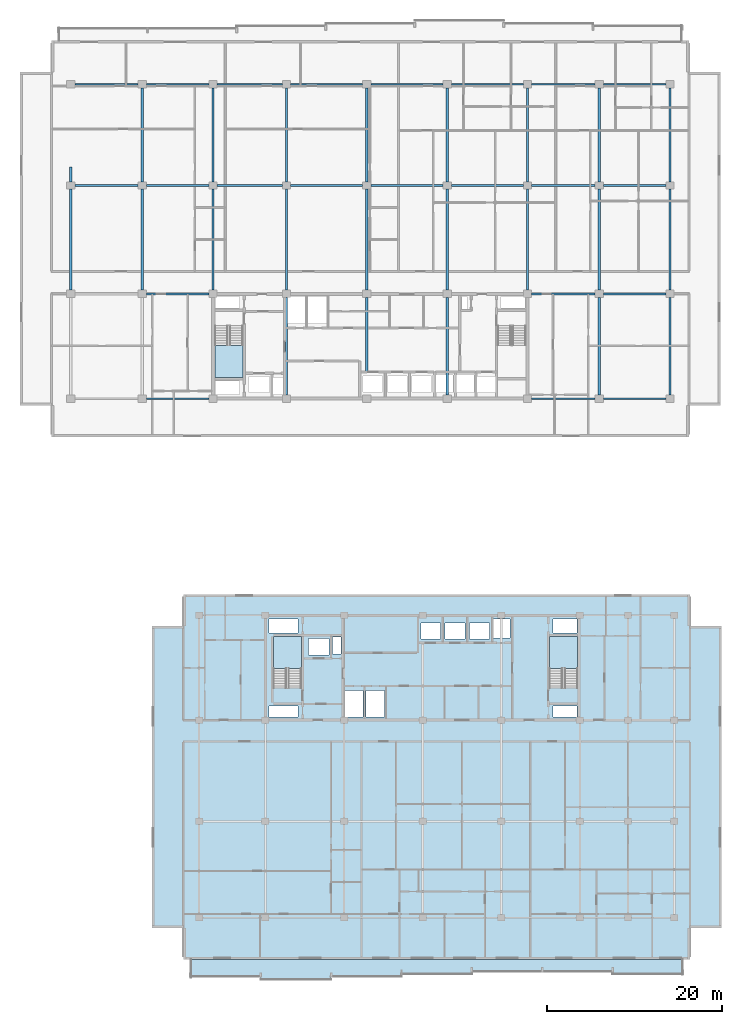
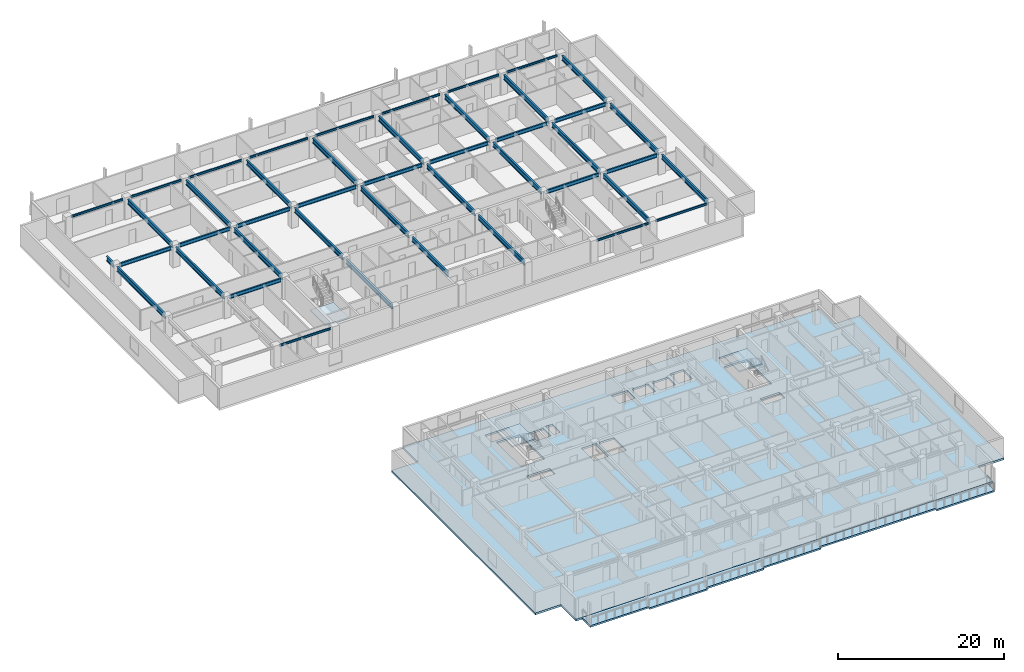
# One storey, part 2 of 21: 45 beams, 5 slabs, 3 elements without a shape of their own.
"""IFC4 building model written with IfcOpenShell, lengths in metres."""

from ifc_helpers import new_model, si_unit, direction, frame, origin, origin_2d, place, context, subcontext, project, spatial, polyline, i_section, outline, extrude, material, layer, layer_set, material_profile, profile_set, type_object, element, aggregate, save


model = new_model("IFC4")

# Units and contexts
model_context = context("Model", 3, precision=1e-05, world=origin(), true_north=direction((0.0, 1.0)))
body_context = subcontext(model_context, "Body", "Model", "MODEL_VIEW")
ifc_project = project(units=[si_unit("LENGTHUNIT", "METRE"), si_unit("AREAUNIT", "SQUARE_METRE"), si_unit("VOLUMEUNIT", "CUBIC_METRE"), si_unit("PLANEANGLEUNIT", "RADIAN"), si_unit("MASSUNIT", "GRAM", prefix="KILO")], contexts=[model_context])

# Site, building, storey
site_placement = place(None, origin())
site = spatial("IfcSite", under=ifc_project, at=site_placement, CompositionType="ELEMENT")
building_placement = place(site_placement, origin())
building = spatial("IfcBuilding", under=site, at=building_placement, Name="Korimba Cascade Residences", CompositionType="ELEMENT")
storey_placement = place(building_placement, frame((0.0, 0.0, 123.050048828125)))
storey = spatial("IfcBuildingStorey", under=building, at=storey_placement, Name="L35", CompositionType="ELEMENT", Elevation=123.050048828125)

# Beams
ifc_material_1 = material(Name="Steel S355", Category="steel")
ifc_material_profile_1 = material_profile(ifc_material_1, i_section(OverallWidth=0.165771484375, OverallDepth=0.306640625, WebThickness=0.006591796875, FlangeThickness=0.01171875, FilletRadius=0.0087890625, at=origin_2d()), Name="Steel S355")
ifc_profile_set_1 = profile_set([ifc_material_profile_1], Name="Steel S355")
beam_type_1 = type_object("IfcBeamType", Name="BM-STL-UB305", PredefinedType="SPANDREL", material=ifc_profile_set_1)
beam_1_placement = place(storey_placement, frame((68.47509765625, 55.199951171875, 2.816650390625), z_axis=(1.0, 0.0, 0.0), x_axis=(0.0, 1.0, 0.0)))
element("IfcBeam", 1, at=beam_1_placement, inside=storey, type_object=beam_type_1, Name="L35 T1 E-W Girder Y1 Bay 2", PredefinedType="SPANDREL", context=body_context, shape_type="SweptSolid", body=[
    extrude(i_section(OverallWidth=0.165771484375, OverallDepth=0.306640625, WebThickness=0.006591796875, FlangeThickness=0.01171875, FilletRadius=0.0087890625, at=origin_2d()), origin(), (0.0, 0.0, 1.0), 7.14990234375),
])
beam_2_placement = place(storey_placement, frame((112.574951171875, 55.199951171875, 2.816650390625), z_axis=(1.0, 0.0, 0.0), x_axis=(0.0, 1.0, 0.0)))
element("IfcBeam", 2, at=beam_2_placement, inside=storey, type_object=beam_type_1, Name="L35 T1 E-W Girder Y1 Bay 7", PredefinedType="SPANDREL", context=body_context, shape_type="SweptSolid", body=[
    extrude(i_section(OverallWidth=0.165771484375, OverallDepth=0.306640625, WebThickness=0.006591796875, FlangeThickness=0.01171875, FilletRadius=0.0087890625, at=origin_2d()), origin(), (0.0, 0.0, 1.0), 7.25),
])
beam_3_placement = place(storey_placement, frame((120.77490234375, 55.199951171875, 2.816650390625), z_axis=(1.0, 0.0, 0.0), x_axis=(0.0, 1.0, 0.0)))
element("IfcBeam", 3, at=beam_3_placement, inside=storey, type_object=beam_type_1, Name="L35 T1 E-W Girder Y1 Bay 8", PredefinedType="SPANDREL", context=body_context, shape_type="SweptSolid", body=[
    extrude(i_section(OverallWidth=0.165771484375, OverallDepth=0.306640625, WebThickness=0.006591796875, FlangeThickness=0.01171875, FilletRadius=0.0087890625, at=origin_2d()), origin(), (0.0, 0.0, 1.0), 7.150146484375),
])
beam_4_placement = place(storey_placement, frame((60.27490234375, 91.199951171875, 2.816650390625), z_axis=(1.0, 0.0, 0.0), x_axis=(0.0, 1.0, 0.0)))
element("IfcBeam", 4, at=beam_4_placement, inside=storey, type_object=beam_type_1, Name="L35 T1 E-W Girder Y4 Bay 1", PredefinedType="SPANDREL", context=body_context, shape_type="SweptSolid", body=[
    extrude(i_section(OverallWidth=0.165771484375, OverallDepth=0.306640625, WebThickness=0.006591796875, FlangeThickness=0.01171875, FilletRadius=0.0087890625, at=origin_2d()), origin(), (0.0, 0.0, 1.0), 7.25),
])
beam_5_placement = place(storey_placement, frame((68.47509765625, 91.199951171875, 2.816650390625), z_axis=(1.0, 0.0, 0.0), x_axis=(0.0, 1.0, 0.0)))
element("IfcBeam", 5, at=beam_5_placement, inside=storey, type_object=beam_type_1, Name="L35 T1 E-W Girder Y4 Bay 2", PredefinedType="SPANDREL", context=body_context, shape_type="SweptSolid", body=[
    extrude(i_section(OverallWidth=0.165771484375, OverallDepth=0.306640625, WebThickness=0.006591796875, FlangeThickness=0.01171875, FilletRadius=0.0087890625, at=origin_2d()), origin(), (0.0, 0.0, 1.0), 7.14990234375),
])
beam_6_placement = place(storey_placement, frame((76.574951171875, 91.199951171875, 2.816650390625), z_axis=(1.0, 0.0, 0.0), x_axis=(0.0, 1.0, 0.0)))
element("IfcBeam", 6, at=beam_6_placement, inside=storey, type_object=beam_type_1, Name="L35 T1 E-W Girder Y4 Bay 3", PredefinedType="SPANDREL", context=body_context, shape_type="SweptSolid", body=[
    extrude(i_section(OverallWidth=0.165771484375, OverallDepth=0.306640625, WebThickness=0.006591796875, FlangeThickness=0.01171875, FilletRadius=0.0087890625, at=origin_2d()), origin(), (0.0, 0.0, 1.0), 7.449951171875),
])
for number, where, z_axis, x_axis, name in (
    (7, (84.97509765625, 91.199951171875, 2.816650390625), (1.0, 0.0, 0.0), (0.0, 1.0, 0.0), "L35 T1 E-W Girder Y4 Bay 4"),
    (8, (94.175048828125, 91.199951171875, 2.816650390625), (1.0, 0.0, 0.0), (0.0, 1.0, 0.0), "L35 T1 E-W Girder Y4 Bay 5"),
    (9, (103.375, 91.199951171875, 2.816650390625), (1.0, 0.0, 0.0), (0.0, 1.0, 0.0), "L35 T1 E-W Girder Y4 Bay 6"),
):
    element("IfcBeam", number, at=place(storey_placement, frame(where, z_axis=z_axis, x_axis=x_axis)), inside=storey, type_object=beam_type_1, Name=name, PredefinedType="SPANDREL", context=body_context, shape_type="SweptSolid", body=[
        extrude(i_section(OverallWidth=0.165771484375, OverallDepth=0.306640625, WebThickness=0.006591796875, FlangeThickness=0.01171875, FilletRadius=0.0087890625, at=origin_2d()), origin(), (0.0, 0.0, 1.0), 8.25),
    ])
beam_7_placement = place(storey_placement, frame((112.574951171875, 91.199951171875, 2.816650390625), z_axis=(1.0, 0.0, 0.0), x_axis=(0.0, 1.0, 0.0)))
element("IfcBeam", 10, at=beam_7_placement, inside=storey, type_object=beam_type_1, Name="L35 T1 E-W Girder Y4 Bay 7", PredefinedType="SPANDREL", context=body_context, shape_type="SweptSolid", body=[
    extrude(i_section(OverallWidth=0.165771484375, OverallDepth=0.306640625, WebThickness=0.006591796875, FlangeThickness=0.01171875, FilletRadius=0.0087890625, at=origin_2d()), origin(), (0.0, 0.0, 1.0), 7.25),
])
beam_8_placement = place(storey_placement, frame((120.77490234375, 91.199951171875, 2.816650390625), z_axis=(1.0, 0.0, 0.0), x_axis=(0.0, 1.0, 0.0)))
element("IfcBeam", 11, at=beam_8_placement, inside=storey, type_object=beam_type_1, Name="L35 T1 E-W Girder Y4 Bay 8", PredefinedType="SPANDREL", context=body_context, shape_type="SweptSolid", body=[
    extrude(i_section(OverallWidth=0.165771484375, OverallDepth=0.306640625, WebThickness=0.006591796875, FlangeThickness=0.01171875, FilletRadius=0.0087890625, at=origin_2d()), origin(), (0.0, 0.0, 1.0), 7.150146484375),
])
ifc_material_profile_2 = material_profile(ifc_material_1, i_section(OverallWidth=0.2099609375, OverallDepth=0.53662109375, WebThickness=0.0107421875, FlangeThickness=0.017333984375, FilletRadius=0.0126953125, at=origin_2d()), Name="Steel S355")
ifc_profile_set_2 = profile_set([ifc_material_profile_2], Name="Steel S355")
beam_type_2 = type_object("IfcBeamType", Name="BM-STL-UB533", PredefinedType="BEAM", material=ifc_profile_set_2)
beam_9_placement = place(storey_placement, frame((68.47509765625, 67.199951171875, 2.70166015625), z_axis=(1.0, 0.0, 0.0), x_axis=(0.0, 1.0, 0.0)))
element("IfcBeam", 12, at=beam_9_placement, inside=storey, type_object=beam_type_2, Name="L35 T1 E-W Girder Y2 Bay 2", PredefinedType="BEAM", context=body_context, shape_type="SweptSolid", body=[
    extrude(i_section(OverallWidth=0.2099609375, OverallDepth=0.53662109375, WebThickness=0.0107421875, FlangeThickness=0.017333984375, FilletRadius=0.0126953125, at=origin_2d()), origin(), (0.0, 0.0, 1.0), 7.14990234375),
])
beam_10_placement = place(storey_placement, frame((112.574951171875, 67.199951171875, 2.70166015625), z_axis=(1.0, 0.0, 0.0), x_axis=(0.0, 1.0, 0.0)))
element("IfcBeam", 13, at=beam_10_placement, inside=storey, type_object=beam_type_2, Name="L35 T1 E-W Girder Y2 Bay 7", PredefinedType="BEAM", context=body_context, shape_type="SweptSolid", body=[
    extrude(i_section(OverallWidth=0.2099609375, OverallDepth=0.53662109375, WebThickness=0.0107421875, FlangeThickness=0.017333984375, FilletRadius=0.0126953125, at=origin_2d()), origin(), (0.0, 0.0, 1.0), 7.25),
])
beam_11_placement = place(storey_placement, frame((120.77490234375, 67.199951171875, 2.70166015625), z_axis=(1.0, 0.0, 0.0), x_axis=(0.0, 1.0, 0.0)))
element("IfcBeam", 14, at=beam_11_placement, inside=storey, type_object=beam_type_2, Name="L35 T1 E-W Girder Y2 Bay 8", PredefinedType="BEAM", context=body_context, shape_type="SweptSolid", body=[
    extrude(i_section(OverallWidth=0.2099609375, OverallDepth=0.53662109375, WebThickness=0.0107421875, FlangeThickness=0.017333984375, FilletRadius=0.0126953125, at=origin_2d()), origin(), (0.0, 0.0, 1.0), 7.150146484375),
])
beam_12_placement = place(storey_placement, frame((60.27490234375, 79.60009765625, 2.70166015625), z_axis=(1.0, 0.0, 0.0), x_axis=(0.0, 1.0, 0.0)))
element("IfcBeam", 15, at=beam_12_placement, inside=storey, type_object=beam_type_2, Name="L35 T1 E-W Girder Y3 Bay 1", PredefinedType="BEAM", context=body_context, shape_type="SweptSolid", body=[
    extrude(i_section(OverallWidth=0.2099609375, OverallDepth=0.53662109375, WebThickness=0.0107421875, FlangeThickness=0.017333984375, FilletRadius=0.0126953125, at=origin_2d()), origin(), (0.0, 0.0, 1.0), 7.25),
])
beam_13_placement = place(storey_placement, frame((68.47509765625, 79.60009765625, 2.70166015625), z_axis=(1.0, 0.0, 0.0), x_axis=(0.0, 1.0, 0.0)))
element("IfcBeam", 16, at=beam_13_placement, inside=storey, type_object=beam_type_2, Name="L35 T1 E-W Girder Y3 Bay 2", PredefinedType="BEAM", context=body_context, shape_type="SweptSolid", body=[
    extrude(i_section(OverallWidth=0.2099609375, OverallDepth=0.53662109375, WebThickness=0.0107421875, FlangeThickness=0.017333984375, FilletRadius=0.0126953125, at=origin_2d()), origin(), (0.0, 0.0, 1.0), 7.14990234375),
])
beam_14_placement = place(storey_placement, frame((76.574951171875, 79.60009765625, 2.70166015625), z_axis=(1.0, 0.0, 0.0), x_axis=(0.0, 1.0, 0.0)))
element("IfcBeam", 17, at=beam_14_placement, inside=storey, type_object=beam_type_2, Name="L35 T1 E-W Girder Y3 Bay 3", PredefinedType="BEAM", context=body_context, shape_type="SweptSolid", body=[
    extrude(i_section(OverallWidth=0.2099609375, OverallDepth=0.53662109375, WebThickness=0.0107421875, FlangeThickness=0.017333984375, FilletRadius=0.0126953125, at=origin_2d()), origin(), (0.0, 0.0, 1.0), 7.449951171875),
])
for number, where, z_axis, x_axis, name in (
    (18, (84.97509765625, 79.60009765625, 2.70166015625), (1.0, 0.0, 0.0), (0.0, 1.0, 0.0), "L35 T1 E-W Girder Y3 Bay 4"),
    (19, (94.175048828125, 79.60009765625, 2.70166015625), (1.0, 0.0, 0.0), (0.0, 1.0, 0.0), "L35 T1 E-W Girder Y3 Bay 5"),
    (20, (103.375, 79.60009765625, 2.70166015625), (1.0, 0.0, 0.0), (0.0, 1.0, 0.0), "L35 T1 E-W Girder Y3 Bay 6"),
):
    element("IfcBeam", number, at=place(storey_placement, frame(where, z_axis=z_axis, x_axis=x_axis)), inside=storey, type_object=beam_type_2, Name=name, PredefinedType="BEAM", context=body_context, shape_type="SweptSolid", body=[
        extrude(i_section(OverallWidth=0.2099609375, OverallDepth=0.53662109375, WebThickness=0.0107421875, FlangeThickness=0.017333984375, FilletRadius=0.0126953125, at=origin_2d()), origin(), (0.0, 0.0, 1.0), 8.25),
    ])
beam_15_placement = place(storey_placement, frame((112.574951171875, 79.60009765625, 2.70166015625), z_axis=(1.0, 0.0, 0.0), x_axis=(0.0, 1.0, 0.0)))
element("IfcBeam", 21, at=beam_15_placement, inside=storey, type_object=beam_type_2, Name="L35 T1 E-W Girder Y3 Bay 7", PredefinedType="BEAM", context=body_context, shape_type="SweptSolid", body=[
    extrude(i_section(OverallWidth=0.2099609375, OverallDepth=0.53662109375, WebThickness=0.0107421875, FlangeThickness=0.017333984375, FilletRadius=0.0126953125, at=origin_2d()), origin(), (0.0, 0.0, 1.0), 7.25),
])
beam_16_placement = place(storey_placement, frame((120.77490234375, 79.60009765625, 2.70166015625), z_axis=(1.0, 0.0, 0.0), x_axis=(0.0, 1.0, 0.0)))
element("IfcBeam", 22, at=beam_16_placement, inside=storey, type_object=beam_type_2, Name="L35 T1 E-W Girder Y3 Bay 8", PredefinedType="BEAM", context=body_context, shape_type="SweptSolid", body=[
    extrude(i_section(OverallWidth=0.2099609375, OverallDepth=0.53662109375, WebThickness=0.0107421875, FlangeThickness=0.017333984375, FilletRadius=0.0126953125, at=origin_2d()), origin(), (0.0, 0.0, 1.0), 7.150146484375),
])
ifc_material_profile_3 = material_profile(ifc_material_1, i_section(OverallWidth=0.255859375, OverallDepth=0.69287109375, WebThickness=0.014404296875, FlangeThickness=0.023681640625, FilletRadius=0.01513671875, at=origin_2d()), Name="Steel S355")
ifc_profile_set_3 = profile_set([ifc_material_profile_3], Name="Steel S355")
beam_type_3 = type_object("IfcBeamType", Name="BM-STL-UB686", PredefinedType="BEAM", material=ifc_profile_set_3)
beam_17_placement = place(storey_placement, frame((59.800048828125, 67.625, 2.62353515625), z_axis=(0.0, 1.0, 0.0), x_axis=(-1.0, 0.0, 0.0)))
element("IfcBeam", 23, at=beam_17_placement, inside=storey, type_object=beam_type_3, Name="L35 T1 N-S Girder X1 Seg 2", PredefinedType="BEAM", context=body_context, shape_type="SweptSolid", body=[
    extrude(i_section(OverallWidth=0.255859375, OverallDepth=0.69287109375, WebThickness=0.014404296875, FlangeThickness=0.023681640625, FilletRadius=0.01513671875, at=origin_2d()), origin(), (0.0, 0.0, 1.0), 11.550048828125),
])
beam_18_placement = place(storey_placement, frame((59.800048828125, 80.02490234375, 2.62353515625), z_axis=(0.0, 1.0, 0.0), x_axis=(-1.0, 0.0, 0.0)))
element("IfcBeam", 24, at=beam_18_placement, inside=storey, type_object=beam_type_3, Name="L35 T1 N-S Girder X1 Seg 3", PredefinedType="BEAM", context=body_context, shape_type="SweptSolid", body=[
    extrude(i_section(OverallWidth=0.255859375, OverallDepth=0.69287109375, WebThickness=0.014404296875, FlangeThickness=0.023681640625, FilletRadius=0.01513671875, at=origin_2d()), origin(), (0.0, 0.0, 1.0), 1.675048828125),
])
beam_19_placement = place(storey_placement, frame((68.0, 67.625, 2.62353515625), z_axis=(0.0, 1.0, 0.0), x_axis=(-1.0, 0.0, 0.0)))
element("IfcBeam", 25, at=beam_19_placement, inside=storey, type_object=beam_type_3, Name="L35 T1 N-S Girder X2 Seg 2", PredefinedType="BEAM", context=body_context, shape_type="SweptSolid", body=[
    extrude(i_section(OverallWidth=0.255859375, OverallDepth=0.69287109375, WebThickness=0.014404296875, FlangeThickness=0.023681640625, FilletRadius=0.01513671875, at=origin_2d()), origin(), (0.0, 0.0, 1.0), 11.550048828125),
])
beam_20_placement = place(storey_placement, frame((68.0, 80.02490234375, 2.62353515625), z_axis=(0.0, 1.0, 0.0), x_axis=(-1.0, 0.0, 0.0)))
element("IfcBeam", 26, at=beam_20_placement, inside=storey, type_object=beam_type_3, Name="L35 T1 N-S Girder X2 Seg 3", PredefinedType="BEAM", context=body_context, shape_type="SweptSolid", body=[
    extrude(i_section(OverallWidth=0.255859375, OverallDepth=0.69287109375, WebThickness=0.014404296875, FlangeThickness=0.023681640625, FilletRadius=0.01513671875, at=origin_2d()), origin(), (0.0, 0.0, 1.0), 10.75),
])
beam_21_placement = place(storey_placement, frame((76.10009765625, 67.625, 2.62353515625), z_axis=(0.0, 1.0, 0.0), x_axis=(-1.0, 0.0, 0.0)))
element("IfcBeam", 27, at=beam_21_placement, inside=storey, type_object=beam_type_3, Name="L35 T1 N-S Girder X3 Seg 2", PredefinedType="BEAM", context=body_context, shape_type="SweptSolid", body=[
    extrude(i_section(OverallWidth=0.255859375, OverallDepth=0.69287109375, WebThickness=0.014404296875, FlangeThickness=0.023681640625, FilletRadius=0.01513671875, at=origin_2d()), origin(), (0.0, 0.0, 1.0), 11.550048828125),
])
beam_22_placement = place(storey_placement, frame((76.10009765625, 80.02490234375, 2.62353515625), z_axis=(0.0, 1.0, 0.0), x_axis=(-1.0, 0.0, 0.0)))
element("IfcBeam", 28, at=beam_22_placement, inside=storey, type_object=beam_type_3, Name="L35 T1 N-S Girder X3 Seg 3", PredefinedType="BEAM", context=body_context, shape_type="SweptSolid", body=[
    extrude(i_section(OverallWidth=0.255859375, OverallDepth=0.69287109375, WebThickness=0.014404296875, FlangeThickness=0.023681640625, FilletRadius=0.01513671875, at=origin_2d()), origin(), (0.0, 0.0, 1.0), 10.75),
])
beam_23_placement = place(storey_placement, frame((84.5, 55.625, 2.62353515625), z_axis=(0.0, 1.0, 0.0), x_axis=(-1.0, 0.0, 0.0)))
element("IfcBeam", 29, at=beam_23_placement, inside=storey, type_object=beam_type_3, Name="L35 T1 N-S Girder X4 Seg 1", PredefinedType="BEAM", context=body_context, shape_type="SweptSolid", body=[
    extrude(i_section(OverallWidth=0.255859375, OverallDepth=0.69287109375, WebThickness=0.014404296875, FlangeThickness=0.023681640625, FilletRadius=0.01513671875, at=origin_2d()), origin(), (0.0, 0.0, 1.0), 11.14990234375),
])
beam_24_placement = place(storey_placement, frame((84.5, 67.625, 2.62353515625), z_axis=(0.0, 1.0, 0.0), x_axis=(-1.0, 0.0, 0.0)))
element("IfcBeam", 30, at=beam_24_placement, inside=storey, type_object=beam_type_3, Name="L35 T1 N-S Girder X4 Seg 2", PredefinedType="BEAM", context=body_context, shape_type="SweptSolid", body=[
    extrude(i_section(OverallWidth=0.255859375, OverallDepth=0.69287109375, WebThickness=0.014404296875, FlangeThickness=0.023681640625, FilletRadius=0.01513671875, at=origin_2d()), origin(), (0.0, 0.0, 1.0), 11.550048828125),
])
beam_25_placement = place(storey_placement, frame((84.5, 80.02490234375, 2.62353515625), z_axis=(0.0, 1.0, 0.0), x_axis=(-1.0, 0.0, 0.0)))
element("IfcBeam", 31, at=beam_25_placement, inside=storey, type_object=beam_type_3, Name="L35 T1 N-S Girder X4 Seg 3", PredefinedType="BEAM", context=body_context, shape_type="SweptSolid", body=[
    extrude(i_section(OverallWidth=0.255859375, OverallDepth=0.69287109375, WebThickness=0.014404296875, FlangeThickness=0.023681640625, FilletRadius=0.01513671875, at=origin_2d()), origin(), (0.0, 0.0, 1.0), 10.75),
])
beam_26_placement = place(storey_placement, frame((93.699951171875, 58.159912109375, 2.62353515625), z_axis=(0.0, 1.0, 0.0), x_axis=(-1.0, 0.0, 0.0)))
element("IfcBeam", 32, at=beam_26_placement, inside=storey, type_object=beam_type_3, Name="L35 T1 N-S Girder X5 Seg 1", PredefinedType="BEAM", context=body_context, shape_type="SweptSolid", body=[
    extrude(i_section(OverallWidth=0.255859375, OverallDepth=0.69287109375, WebThickness=0.014404296875, FlangeThickness=0.023681640625, FilletRadius=0.01513671875, at=origin_2d()), origin(), (0.0, 0.0, 1.0), 8.614990234375),
])
beam_27_placement = place(storey_placement, frame((93.699951171875, 67.625, 2.62353515625), z_axis=(0.0, 1.0, 0.0), x_axis=(-1.0, 0.0, 0.0)))
element("IfcBeam", 33, at=beam_27_placement, inside=storey, type_object=beam_type_3, Name="L35 T1 N-S Girder X5 Seg 2", PredefinedType="BEAM", context=body_context, shape_type="SweptSolid", body=[
    extrude(i_section(OverallWidth=0.255859375, OverallDepth=0.69287109375, WebThickness=0.014404296875, FlangeThickness=0.023681640625, FilletRadius=0.01513671875, at=origin_2d()), origin(), (0.0, 0.0, 1.0), 11.550048828125),
])
beam_28_placement = place(storey_placement, frame((93.699951171875, 80.02490234375, 2.62353515625), z_axis=(0.0, 1.0, 0.0), x_axis=(-1.0, 0.0, 0.0)))
element("IfcBeam", 34, at=beam_28_placement, inside=storey, type_object=beam_type_3, Name="L35 T1 N-S Girder X5 Seg 3", PredefinedType="BEAM", context=body_context, shape_type="SweptSolid", body=[
    extrude(i_section(OverallWidth=0.255859375, OverallDepth=0.69287109375, WebThickness=0.014404296875, FlangeThickness=0.023681640625, FilletRadius=0.01513671875, at=origin_2d()), origin(), (0.0, 0.0, 1.0), 10.75),
])
beam_29_placement = place(storey_placement, frame((102.89990234375, 55.625, 2.62353515625), z_axis=(0.0, 1.0, 0.0), x_axis=(-1.0, 0.0, 0.0)))
element("IfcBeam", 35, at=beam_29_placement, inside=storey, type_object=beam_type_3, Name="L35 T1 N-S Girder X6 Seg 1", PredefinedType="BEAM", context=body_context, shape_type="SweptSolid", body=[
    extrude(i_section(OverallWidth=0.255859375, OverallDepth=0.69287109375, WebThickness=0.014404296875, FlangeThickness=0.023681640625, FilletRadius=0.01513671875, at=origin_2d()), origin(), (0.0, 0.0, 1.0), 11.14990234375),
])
beam_30_placement = place(storey_placement, frame((102.89990234375, 67.625, 2.62353515625), z_axis=(0.0, 1.0, 0.0), x_axis=(-1.0, 0.0, 0.0)))
element("IfcBeam", 36, at=beam_30_placement, inside=storey, type_object=beam_type_3, Name="L35 T1 N-S Girder X6 Seg 2", PredefinedType="BEAM", context=body_context, shape_type="SweptSolid", body=[
    extrude(i_section(OverallWidth=0.255859375, OverallDepth=0.69287109375, WebThickness=0.014404296875, FlangeThickness=0.023681640625, FilletRadius=0.01513671875, at=origin_2d()), origin(), (0.0, 0.0, 1.0), 11.550048828125),
])
beam_31_placement = place(storey_placement, frame((102.89990234375, 80.02490234375, 2.62353515625), z_axis=(0.0, 1.0, 0.0), x_axis=(-1.0, 0.0, 0.0)))
element("IfcBeam", 37, at=beam_31_placement, inside=storey, type_object=beam_type_3, Name="L35 T1 N-S Girder X6 Seg 3", PredefinedType="BEAM", context=body_context, shape_type="SweptSolid", body=[
    extrude(i_section(OverallWidth=0.255859375, OverallDepth=0.69287109375, WebThickness=0.014404296875, FlangeThickness=0.023681640625, FilletRadius=0.01513671875, at=origin_2d()), origin(), (0.0, 0.0, 1.0), 10.75),
])
beam_32_placement = place(storey_placement, frame((112.10009765625, 67.625, 2.62353515625), z_axis=(0.0, 1.0, 0.0), x_axis=(-1.0, 0.0, 0.0)))
element("IfcBeam", 38, at=beam_32_placement, inside=storey, type_object=beam_type_3, Name="L35 T1 N-S Girder X7 Seg 2", PredefinedType="BEAM", context=body_context, shape_type="SweptSolid", body=[
    extrude(i_section(OverallWidth=0.255859375, OverallDepth=0.69287109375, WebThickness=0.014404296875, FlangeThickness=0.023681640625, FilletRadius=0.01513671875, at=origin_2d()), origin(), (0.0, 0.0, 1.0), 11.550048828125),
])
beam_33_placement = place(storey_placement, frame((112.10009765625, 80.02490234375, 2.62353515625), z_axis=(0.0, 1.0, 0.0), x_axis=(-1.0, 0.0, 0.0)))
element("IfcBeam", 39, at=beam_33_placement, inside=storey, type_object=beam_type_3, Name="L35 T1 N-S Girder X7 Seg 3", PredefinedType="BEAM", context=body_context, shape_type="SweptSolid", body=[
    extrude(i_section(OverallWidth=0.255859375, OverallDepth=0.69287109375, WebThickness=0.014404296875, FlangeThickness=0.023681640625, FilletRadius=0.01513671875, at=origin_2d()), origin(), (0.0, 0.0, 1.0), 10.75),
])
beam_34_placement = place(storey_placement, frame((120.300048828125, 55.625, 2.62353515625), z_axis=(0.0, 1.0, 0.0), x_axis=(-1.0, 0.0, 0.0)))
element("IfcBeam", 40, at=beam_34_placement, inside=storey, type_object=beam_type_3, Name="L35 T1 N-S Girder X8 Seg 1", PredefinedType="BEAM", context=body_context, shape_type="SweptSolid", body=[
    extrude(i_section(OverallWidth=0.255859375, OverallDepth=0.69287109375, WebThickness=0.014404296875, FlangeThickness=0.023681640625, FilletRadius=0.01513671875, at=origin_2d()), origin(), (0.0, 0.0, 1.0), 11.14990234375),
])
beam_35_placement = place(storey_placement, frame((120.300048828125, 67.625, 2.62353515625), z_axis=(0.0, 1.0, 0.0), x_axis=(-1.0, 0.0, 0.0)))
element("IfcBeam", 41, at=beam_35_placement, inside=storey, type_object=beam_type_3, Name="L35 T1 N-S Girder X8 Seg 2", PredefinedType="BEAM", context=body_context, shape_type="SweptSolid", body=[
    extrude(i_section(OverallWidth=0.255859375, OverallDepth=0.69287109375, WebThickness=0.014404296875, FlangeThickness=0.023681640625, FilletRadius=0.01513671875, at=origin_2d()), origin(), (0.0, 0.0, 1.0), 11.550048828125),
])
beam_36_placement = place(storey_placement, frame((120.300048828125, 80.02490234375, 2.62353515625), z_axis=(0.0, 1.0, 0.0), x_axis=(-1.0, 0.0, 0.0)))
element("IfcBeam", 42, at=beam_36_placement, inside=storey, type_object=beam_type_3, Name="L35 T1 N-S Girder X8 Seg 3", PredefinedType="BEAM", context=body_context, shape_type="SweptSolid", body=[
    extrude(i_section(OverallWidth=0.255859375, OverallDepth=0.69287109375, WebThickness=0.014404296875, FlangeThickness=0.023681640625, FilletRadius=0.01513671875, at=origin_2d()), origin(), (0.0, 0.0, 1.0), 10.75),
])
beam_37_placement = place(storey_placement, frame((128.39990234375, 55.625, 2.62353515625), z_axis=(0.0, 1.0, 0.0), x_axis=(-1.0, 0.0, 0.0)))
element("IfcBeam", 43, at=beam_37_placement, inside=storey, type_object=beam_type_3, Name="L35 T1 N-S Girder X9 Seg 1", PredefinedType="BEAM", context=body_context, shape_type="SweptSolid", body=[
    extrude(i_section(OverallWidth=0.255859375, OverallDepth=0.69287109375, WebThickness=0.014404296875, FlangeThickness=0.023681640625, FilletRadius=0.01513671875, at=origin_2d()), origin(), (0.0, 0.0, 1.0), 11.14990234375),
])
beam_38_placement = place(storey_placement, frame((128.39990234375, 67.625, 2.62353515625), z_axis=(0.0, 1.0, 0.0), x_axis=(-1.0, 0.0, 0.0)))
element("IfcBeam", 44, at=beam_38_placement, inside=storey, type_object=beam_type_3, Name="L35 T1 N-S Girder X9 Seg 2", PredefinedType="BEAM", context=body_context, shape_type="SweptSolid", body=[
    extrude(i_section(OverallWidth=0.255859375, OverallDepth=0.69287109375, WebThickness=0.014404296875, FlangeThickness=0.023681640625, FilletRadius=0.01513671875, at=origin_2d()), origin(), (0.0, 0.0, 1.0), 11.550048828125),
])
beam_39_placement = place(storey_placement, frame((128.39990234375, 80.02490234375, 2.62353515625), z_axis=(0.0, 1.0, 0.0), x_axis=(-1.0, 0.0, 0.0)))
element("IfcBeam", 45, at=beam_39_placement, inside=storey, type_object=beam_type_3, Name="L35 T1 N-S Girder X9 Seg 3", PredefinedType="BEAM", context=body_context, shape_type="SweptSolid", body=[
    extrude(i_section(OverallWidth=0.255859375, OverallDepth=0.69287109375, WebThickness=0.014404296875, FlangeThickness=0.023681640625, FilletRadius=0.01513671875, at=origin_2d()), origin(), (0.0, 0.0, 1.0), 10.75),
])

# Stair, slab
ifc_material_2 = material(Name="Concrete C50/60", Category="concrete")
stair_type_1 = type_object("IfcStairType", Name="STR-W1-18R-1806", PredefinedType="HALF_TURN_STAIR", material=ifc_material_2)
stair_1_placement = place(storey_placement, origin())
stair_1 = element("IfcStair", 46, at=stair_1_placement, inside=storey, type_object=stair_type_1, Name="L35 Tower 1 West Fire Stair ST-W1", PredefinedType="HALF_TURN_STAIR")
ifc_layer_1 = layer(ifc_material_2, 0.199951171875)
ifc_layer_set_1 = layer_set([ifc_layer_1], Name="Concrete C50/60")
slab_type_1 = type_object("IfcSlabType", Name="SLB-LND-220", PredefinedType="LANDING", material=ifc_layer_set_1)
slab_1_placement = place(storey_placement, frame((0.0, 0.0, 1.425048828125)))
slab_1 = element("IfcSlab", 47, at=slab_1_placement, type_object=slab_type_1, Name="ST-W1 landing 1", PredefinedType="LANDING", context=body_context, shape_type="SweptSolid", body=[
    extrude(outline(polyline([(76.300048828125, 61.31005859375), (76.300048828125, 57.60009765625), (79.5400390625, 57.60009765625), (79.5400390625, 61.31005859375), (76.300048828125, 61.31005859375)])), origin(), (0.0, 0.0, 1.0), 0.199951171875),
])
aggregate(stair_1, [slab_1])

stair_type_2 = type_object("IfcStairType", Name="STR-E1-18R-1806", PredefinedType="HALF_TURN_STAIR", material=ifc_material_2)
stair_2_placement = place(storey_placement, origin())
stair_2 = element("IfcStair", 48, at=stair_2_placement, inside=storey, type_object=stair_type_2, Name="L35 Tower 2 West Fire Stair ST-E1", PredefinedType="HALF_TURN_STAIR")
slab_2_placement = place(storey_placement, frame((0.0, 0.0, 1.425048828125)))
slab_2 = element("IfcSlab", 49, at=slab_2_placement, type_object=slab_type_1, Name="ST-E1 landing 1", PredefinedType="LANDING", context=body_context, shape_type="SweptSolid", body=[
    extrude(outline(polyline([(86.239990234375, 24.2900390625), (86.239990234375, 28.0), (83.0, 28.0), (83.0, 24.2900390625), (86.239990234375, 24.2900390625)])), origin(), (0.0, 0.0, 1.0), 0.199951171875),
])
aggregate(stair_2, [slab_2])

stair_type_3 = type_object("IfcStairType", Name="STR-E2-18R-1806", PredefinedType="HALF_TURN_STAIR", material=ifc_material_2)
stair_3_placement = place(storey_placement, origin())
stair_3 = element("IfcStair", 50, at=stair_3_placement, inside=storey, type_object=stair_type_3, Name="L35 Tower 2 East Fire Stair ST-E2", PredefinedType="HALF_TURN_STAIR")
slab_3_placement = place(storey_placement, frame((0.0, 0.0, 1.425048828125)))
slab_3 = element("IfcSlab", 51, at=slab_3_placement, type_object=slab_type_1, Name="ST-E2 landing 1", PredefinedType="LANDING", context=body_context, shape_type="SweptSolid", body=[
    extrude(outline(polyline([(117.840087890625, 24.2900390625), (117.840087890625, 28.0), (114.60009765625, 28.0), (114.60009765625, 24.2900390625), (117.840087890625, 24.2900390625)])), origin(), (0.0, 0.0, 1.0), 0.199951171875),
])
aggregate(stair_3, [slab_3])

# Slabs
ifc_material_3 = material(Name="Precast concrete C40/50", Category="concrete")
ifc_layer_2 = layer(ifc_material_3, 0.239990234375)
ifc_layer_set_2 = layer_set([ifc_layer_2], Name="Precast concrete C40/50")
slab_type_2 = type_object("IfcSlabType", Name="SLB-LOG-240", PredefinedType="FLOOR", material=ifc_layer_set_2)
slab_4_placement = place(storey_placement, frame((0.0, 0.0, -0.239990234375)))
element("IfcSlab", 52, at=slab_4_placement, inside=storey, type_object=slab_type_2, Name="L35 Tower 2 South Loggia Slab", PredefinedType="FLOOR", context=body_context, shape_type="SweptSolid", body=[
    extrude(outline(polyline([(73.5, -11.050048828125), (81.55712890625, -11.050048828125), (81.55712890625, -11.35009765625), (89.6142578125, -11.35009765625), (89.6142578125, -11.050048828125), (97.67138671875, -11.050048828125), (97.67138671875, -10.75), (105.728515625, -10.75), (105.728515625, -10.449951171875), (121.843017578125, -10.449951171875), (121.843017578125, -10.75), (129.89990234375, -10.75), (129.89990234375, -9.0), (73.5, -9.0), (73.5, -11.050048828125)])), origin(), (0.0, 0.0, 1.0), 0.239990234375),
])
ifc_layer_3 = layer(ifc_material_2, 0.280029296875)
ifc_layer_set_3 = layer_set([ifc_layer_3], Name="Concrete C50/60")
slab_type_3 = type_object("IfcSlabType", Name="SLB-TYP-280", PredefinedType="FLOOR", material=ifc_layer_set_3)
slab_5_placement = place(storey_placement, frame((0.0, 0.0, -0.280029296875)))
element("IfcSlab", 53, at=slab_5_placement, inside=storey, type_object=slab_type_3, Name="L35 Tower 2 Floor Slab", PredefinedType="FLOOR", context=body_context, shape_type="SweptSolid", body=[
    extrude(outline(polyline([(72.699951171875, -9.0), (130.699951171875, -9.0), (130.699951171875, -5.39990234375), (134.300048828125, -5.39990234375), (134.300048828125, 29.199951171875), (130.699951171875, 29.199951171875), (130.699951171875, 32.800048828125), (72.699951171875, 32.800048828125), (72.699951171875, 29.199951171875), (69.10009765625, 29.199951171875), (69.10009765625, -5.39990234375), (72.699951171875, -5.39990234375), (72.699951171875, -9.0)]), holes=[polyline([(86.239990234375, 22.0849609375), (86.239990234375, 28.0), (83.0, 28.0), (83.0, 22.0849609375), (86.239990234375, 22.0849609375)]), polyline([(117.840087890625, 22.0849609375), (117.840087890625, 28.0), (114.60009765625, 28.0), (114.60009765625, 22.0849609375), (117.840087890625, 22.0849609375)]), polyline([(87.030029296875, 25.8798828125), (89.3701171875, 25.8798828125), (89.3701171875, 27.719970703125), (87.030029296875, 27.719970703125), (87.030029296875, 25.8798828125)]), polyline([(99.8798828125, 27.679931640625), (102.1201171875, 27.679931640625), (102.1201171875, 29.52001953125), (99.8798828125, 29.52001953125), (99.8798828125, 27.679931640625)]), polyline([(102.679931640625, 27.679931640625), (104.919921875, 27.679931640625), (104.919921875, 29.52001953125), (102.679931640625, 29.52001953125), (102.679931640625, 27.679931640625)]), polyline([(105.47998046875, 27.679931640625), (107.719970703125, 27.679931640625), (107.719970703125, 29.52001953125), (105.47998046875, 29.52001953125), (105.47998046875, 27.679931640625)]), polyline([(89.780029296875, 25.97998046875), (90.719970703125, 25.97998046875), (90.719970703125, 27.919921875), (89.780029296875, 27.919921875), (89.780029296875, 25.97998046875)]), polyline([(82.530029296875, 18.72998046875), (85.800048828125, 18.72998046875), (85.800048828125, 20.0400390625), (82.530029296875, 20.0400390625), (82.530029296875, 18.72998046875)]), polyline([(82.530029296875, 28.360107421875), (85.800048828125, 28.360107421875), (85.800048828125, 29.969970703125), (82.530029296875, 29.969970703125), (82.530029296875, 28.360107421875)]), polyline([(108.22998046875, 27.780029296875), (110.1201171875, 27.780029296875), (110.1201171875, 29.969970703125), (108.22998046875, 29.969970703125), (108.22998046875, 27.780029296875)]), polyline([(91.22998046875, 18.72998046875), (93.27001953125, 18.72998046875), (93.27001953125, 21.780029296875), (91.22998046875, 21.780029296875), (91.22998046875, 18.72998046875)]), polyline([(93.6298828125, 18.72998046875), (95.719970703125, 18.72998046875), (95.719970703125, 21.780029296875), (93.6298828125, 21.780029296875), (93.6298828125, 18.72998046875)]), polyline([(115.02001953125, 18.72998046875), (117.739990234375, 18.72998046875), (117.739990234375, 20.0400390625), (115.02001953125, 20.0400390625), (115.02001953125, 18.72998046875)]), polyline([(115.02001953125, 28.360107421875), (117.739990234375, 28.360107421875), (117.739990234375, 29.969970703125), (115.02001953125, 29.969970703125), (115.02001953125, 28.360107421875)])]), origin(), (0.0, 0.0, 1.0), 0.280029296875),
])

save(model, "model.ifc")
